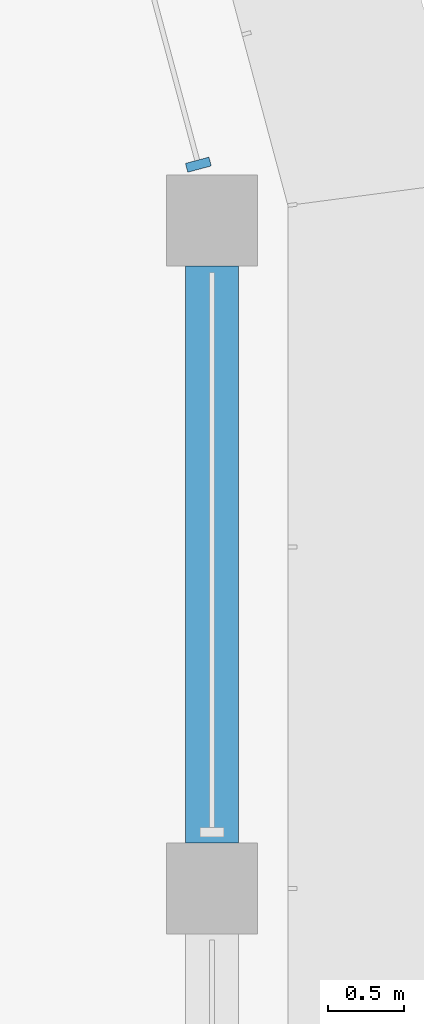
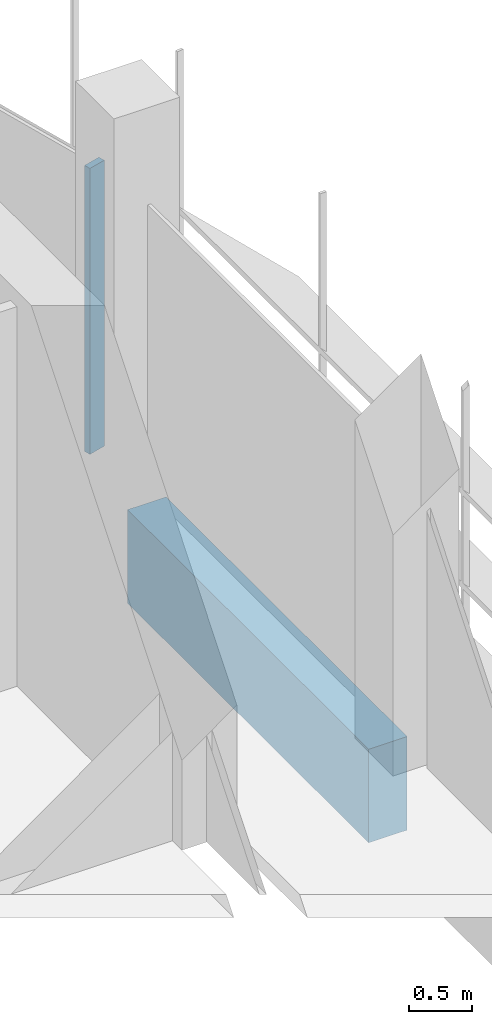
# One storey, part 10 of 19: 1 beam, 1 member, 1 element without a shape of its own.
"""IFC4 building model written with IfcOpenShell, lengths in metres."""

from ifc_helpers import new_model, si_unit, direction, frame, origin, origin_2d, place, context, subcontext, project, spatial, polyline, rectangle, outline, extrude, source, transform, mapped, material, material_profile, profile_set, type_object, element, aggregate, save


model = new_model("IFC4")

# Units and contexts
model_context = context("Model", 3, precision=1e-05, world=origin(), true_north=direction((0.0, 1.0)))
body_context = subcontext(model_context, "Body", "Model", "MODEL_VIEW")
ifc_project = project(units=[si_unit("LENGTHUNIT", "METRE"), si_unit("AREAUNIT", "SQUARE_METRE"), si_unit("VOLUMEUNIT", "CUBIC_METRE"), si_unit("PLANEANGLEUNIT", "RADIAN"), si_unit("MASSUNIT", "GRAM", prefix="KILO")], contexts=[model_context])

# Site, building, storey
site_placement = place(None, origin())
site = spatial("IfcSite", under=ifc_project, at=site_placement, CompositionType="ELEMENT")
building_placement = place(site_placement, origin())
building = spatial("IfcBuilding", under=site, at=building_placement, Name="Zarbagh Exchange Tower", CompositionType="ELEMENT")
storey_placement = place(building_placement, frame((0.0, 0.0, 280.199951171875)))
storey = spatial("IfcBuildingStorey", under=building, at=storey_placement, Name="L69", CompositionType="ELEMENT", Elevation=280.199951171875)

# Beam
ifc_material_1 = material(Name="Concrete C40/50", Category="concrete")
ifc_material_profile = material_profile(ifc_material_1, rectangle(XDim=0.35009765625, YDim=0.89990234375, at=origin_2d()), Name="RC spandrel beam 350 x 900 C40/50")
ifc_profile_set = profile_set([ifc_material_profile], Name="Concrete C40/50")
beam_type = type_object("IfcBeamType", Name="RC spandrel beam 350 x 900 C40/50", PredefinedType="SPANDREL", material=ifc_profile_set)
beam_placement = place(storey_placement, frame((6.25, 24.35009765625, -0.599853515625), z_axis=(0.0, -1.0, 0.0), x_axis=(1.0, 0.0, 0.0)))
element("IfcBeam", 1, at=beam_placement, inside=storey, type_object=beam_type, Name="RC spandrel beam", PredefinedType="SPANDREL", context=body_context, shape_type="SweptSolid", body=[
    extrude(rectangle(XDim=0.35009765625, YDim=0.89990234375, at=origin_2d()), origin(), (0.0, 0.0, 1.0), 3.800048828125),
])

# Curtain wall, member
ifc_material_2 = material(Name="Anodised aluminium frame and glazing", Category="aluminium")
curtain_wall_type = type_object("IfcCurtainWallType", Name="CWB Ribbon glazing, upper zones", PredefinedType="NOTDEFINED", material=ifc_material_2)
curtain_wall_placement = place(storey_placement, origin())
curtain_wall = element("IfcCurtainWall", 2, at=curtain_wall_placement, inside=storey, type_object=curtain_wall_type, Name="CWB68 curtain wall", PredefinedType="NOTDEFINED")
ifc_material_3 = material(Name="Anodised aluminium frame", Category="aluminium")
member_type = type_object("IfcMemberType", Name="MUB Mullion, anodised aluminium frame", PredefinedType="MULLION", material=ifc_material_3)
shared_shape = source(origin(), body_context, "Body", "SweptSolid", [
    extrude(outline(polyline([(0.0, -0.080078125), (0.06005859375, -0.080078125), (0.06005859375, 0.080078125), (0.0, 0.080078125), (0.0, -0.080078125)])), origin(), (0.0, 0.0, 1.0), 2.75),
])
member_placement = place(storey_placement, origin())
member = element("IfcMember", 3, at=member_placement, type_object=member_type, Name="CWB68 mullion 1.1", PredefinedType="MULLION", context=body_context, shape_type="MappedRepresentation", body=[
    mapped(shared_shape, transform((6.16796875, 24.989990234375, 0.0), x_axis=(-0.258824779902, 0.965924289636, 0.0), y_axis=(-0.965924289636, -0.258824779902, 0.0), z_axis=(0.0, 0.0, 1.0))),
])
aggregate(curtain_wall, [member])

save(model, "model.ifc")
